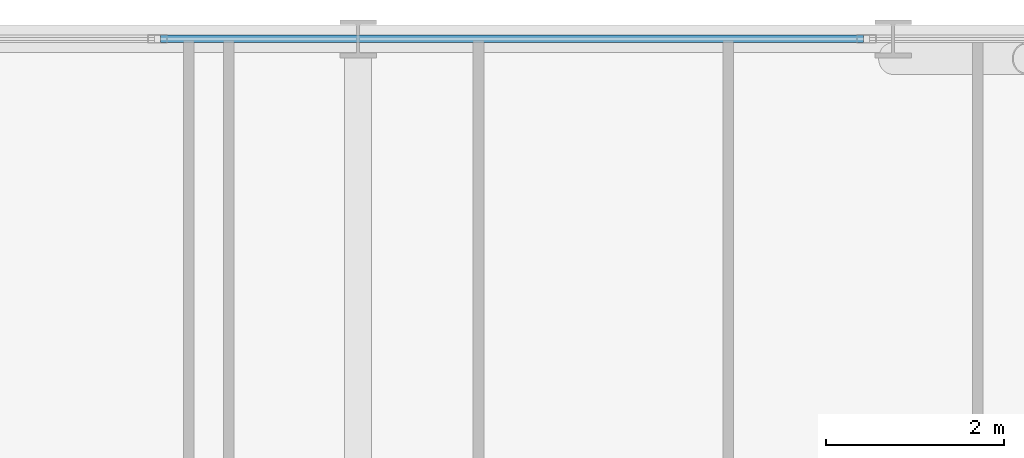
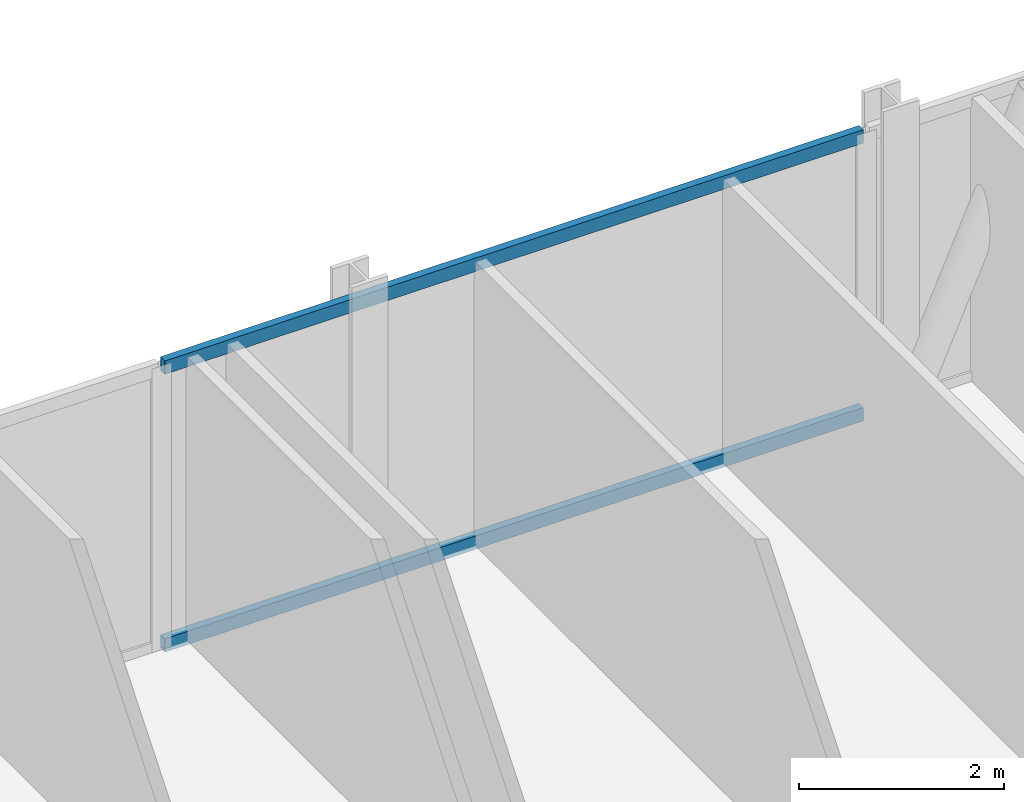
# One storey, part 14 of 33: 2 members, 1 element without a shape of its own.
"""IFC4 building model written with IfcOpenShell, lengths in metres."""

from ifc_helpers import new_model, si_unit, direction, frame, origin, origin_2d, place, context, subcontext, project, spatial, hollow_rectangle, extrude, material, layer, layer_set, material_profile, profile_set, type_object, element, aggregate, save


model = new_model("IFC4")

# Units and contexts
model_context = context("Model", 3, precision=1e-05, world=origin(), true_north=direction((0.0, 1.0)))
body_context = subcontext(model_context, "Body", "Model", "MODEL_VIEW")
ifc_project = project(units=[si_unit("LENGTHUNIT", "METRE"), si_unit("AREAUNIT", "SQUARE_METRE"), si_unit("VOLUMEUNIT", "CUBIC_METRE"), si_unit("PLANEANGLEUNIT", "RADIAN"), si_unit("MASSUNIT", "GRAM", prefix="KILO")], contexts=[model_context])

# Site, building, storey
site_placement = place(None, origin())
site = spatial("IfcSite", under=ifc_project, at=site_placement, CompositionType="ELEMENT")
building_placement = place(site_placement, origin())
building = spatial("IfcBuilding", under=site, at=building_placement, Name="Keshet Zoharim Tower", CompositionType="ELEMENT")
storey_placement = place(building_placement, frame((0.0, 0.0, 49.89990234375)))
storey = spatial("IfcBuildingStorey", under=building, at=storey_placement, Name="L11", CompositionType="ELEMENT", Elevation=49.89990234375)

# Curtain wall, members
ifc_material = material(Name="Aluminium 6063-T6", Category="aluminium")
ifc_layer = layer(ifc_material, 0.169921875)
ifc_layer_set = layer_set([ifc_layer], Name="Aluminium 6063-T6")
curtain_wall_type = type_object("IfcCurtainWallType", Name="CW-SYS-02", PredefinedType="NOTDEFINED", material=ifc_layer_set)
curtain_wall_placement = place(storey_placement, origin())
curtain_wall = element("IfcCurtainWall", 1, at=curtain_wall_placement, inside=storey, type_object=curtain_wall_type, Name="L11 Unitised Curtain Wall 07 Part 3", PredefinedType="NOTDEFINED")
ifc_material_profile = material_profile(ifc_material, hollow_rectangle(XDim=0.0849609375, YDim=0.159912109375, WallThickness=0.00439453125, at=origin_2d()), Name="TRN-85x160")
ifc_profile_set = profile_set([ifc_material_profile], Name="Aluminium 6063-T6")
member_type = type_object("IfcMemberType", Name="CWT-T16", PredefinedType="USERDEFINED", material=ifc_profile_set)
member_1_placement = place(storey_placement, frame((30.784912109375, 53.89990234375, 0.03515625), z_axis=(1.0, 0.0, 0.0), x_axis=(0.0, 1.0, 0.0)))
member_1 = element("IfcMember", 2, at=member_1_placement, type_object=member_type, Name="CW-02 transom 2.1", ObjectType="TRANSOM", PredefinedType="USERDEFINED", context=body_context, shape_type="SweptSolid", body=[
    extrude(hollow_rectangle(XDim=0.0849609375, YDim=0.159912109375, WallThickness=0.00439453125, at=origin_2d()), origin(), (0.0, 0.0, 1.0), 7.882568359375),
])
member_2_placement = place(storey_placement, frame((30.784912109375, 53.89990234375, 3.35009765625), z_axis=(1.0, 0.0, 0.0), x_axis=(0.0, 1.0, 0.0)))
member_2 = element("IfcMember", 3, at=member_2_placement, type_object=member_type, Name="CW-02 transom 2.2", ObjectType="TRANSOM", PredefinedType="USERDEFINED", context=body_context, shape_type="SweptSolid", body=[
    extrude(hollow_rectangle(XDim=0.0849609375, YDim=0.159912109375, WallThickness=0.00439453125, at=origin_2d()), origin(), (0.0, 0.0, 1.0), 7.882568359375),
])
aggregate(curtain_wall, [member_1, member_2])

save(model, "model.ifc")
